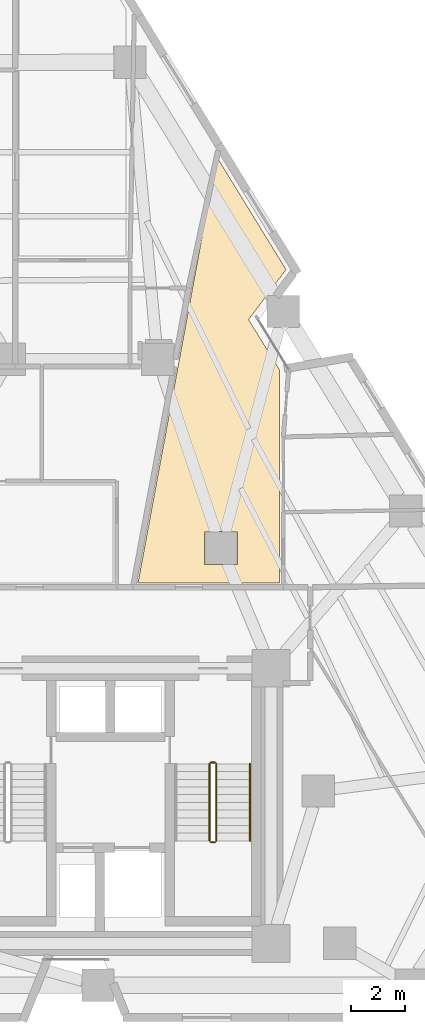
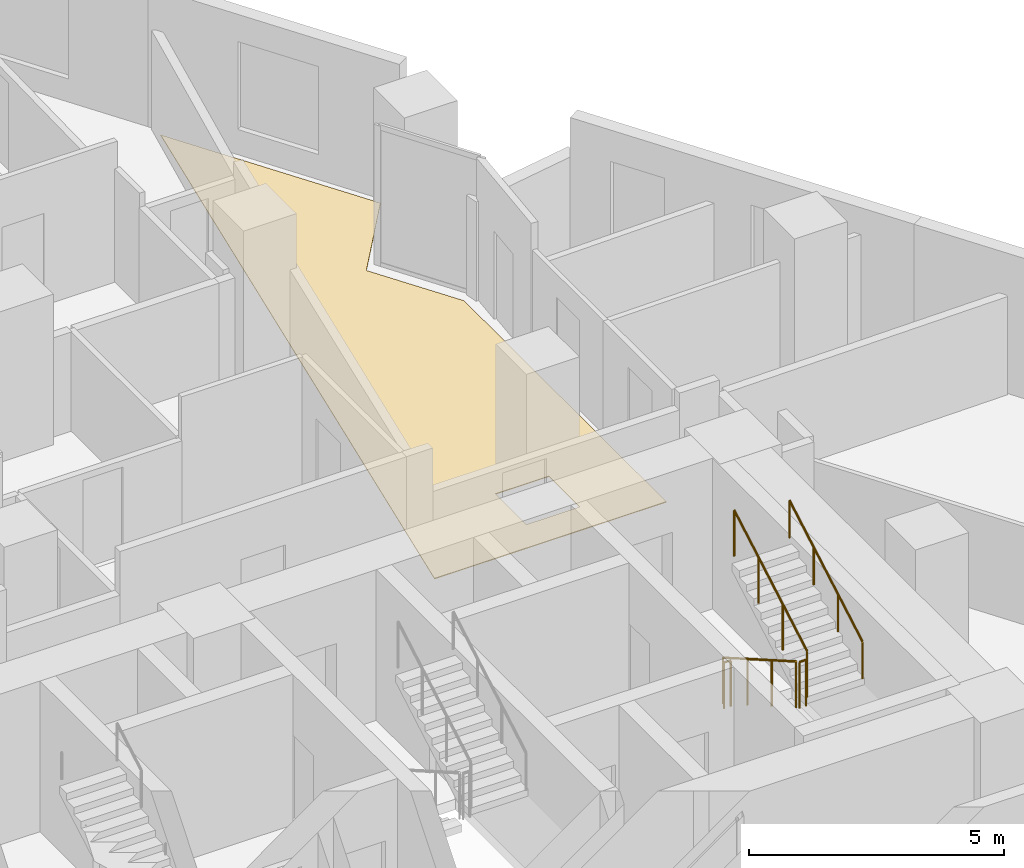
# One storey, part 12 of 13: 5 railings, 1 covering.
"""IFC4 building model written with IfcOpenShell, lengths in metres."""

from ifc_helpers import new_model, si_unit, direction, frame, origin, origin_2d, place, context, subcontext, project, spatial, polyline, circle, outline, extrude, material, layer, layer_set, type_object, element, save


model = new_model("IFC4")

# Units and contexts
model_context = context("Model", 3, precision=1e-05, world=origin(), true_north=direction((0.0, 1.0)))
body_context = subcontext(model_context, "Body", "Model", "MODEL_VIEW")
ifc_project = project(units=[si_unit("LENGTHUNIT", "METRE"), si_unit("AREAUNIT", "SQUARE_METRE"), si_unit("VOLUMEUNIT", "CUBIC_METRE"), si_unit("PLANEANGLEUNIT", "RADIAN"), si_unit("MASSUNIT", "GRAM", prefix="KILO")], contexts=[model_context])

# Site, building, storey
site_placement = place(None, origin())
site = spatial("IfcSite", under=ifc_project, at=site_placement, CompositionType="ELEMENT")
building_placement = place(site_placement, origin())
building = spatial("IfcBuilding", under=site, at=building_placement, Name="Almagre Mirador Tower", CompositionType="ELEMENT")
storey_placement = place(building_placement, frame((0.0, 0.0, 82.199951171875)))
storey = spatial("IfcBuildingStorey", under=building, at=storey_placement, Name="L20", CompositionType="ELEMENT", Elevation=82.199951171875)

# Covering
ifc_material_1 = material(Name="Engineered white oak flooring", Category="wood")
ifc_layer = layer(ifc_material_1, 0.01806640625)
ifc_layer_set = layer_set([ifc_layer], Name="Engineered white oak flooring")
covering_type = type_object("IfcCoveringType", Name="COV-FLR-OAK-18", PredefinedType="FLOORING", material=ifc_layer_set)
covering_placement = place(storey_placement, origin())
element("IfcCovering", 1, at=covering_placement, inside=storey, type_object=covering_type, Name="L20 Unit L20-J Living and Dining Room finish flooring", PredefinedType="FLOORING", context=body_context, shape_type="SweptSolid", body=[
    extrude(outline(polyline([(47.360107421875, 25.81689453125), (47.360107421875, 17.89990234375), (42.1201171875, 17.89990234375), (44.537109375, 30.962890625), (45.0458984375, 33.68994140625), (47.382080078125, 29.89208984375), (47.60888671875, 29.51904296875), (46.218994140625, 27.66796875), (47.360107421875, 25.81689453125)]), holes=[polyline([(44.594970703125, 18.594970703125), (44.594970703125, 19.804931640625), (45.804931640625, 19.804931640625), (45.804931640625, 18.594970703125), (44.594970703125, 18.594970703125)])]), origin(), (0.0, 0.0, 1.0), 0.01806640625),
])

# Railings
ifc_material_2 = material(Name="Painted galvanized steel", Category="steel")
railing_type_1 = type_object("IfcRailingType", Name="RLG-GRD-1100", PredefinedType="GUARDRAIL", material=ifc_material_2)
railing_1_placement = place(storey_placement, frame((44.77490234375, 11.199951171875, 0.16357421875)))
element("IfcRailing", 2, at=railing_1_placement, inside=storey, type_object=railing_type_1, Name="L20 ST-3 stair guard 1", PredefinedType="GUARDRAIL", context=body_context, shape_type="SweptSolid", body=[
    extrude(circle(Radius=0.02392578125, at=origin_2d()), frame((0.0, 0.0, 1.09619140625), z_axis=(0.0, -0.867194282975, 0.497969954491), x_axis=(1.0, 0.0, 0.0)), (0.0, 0.0, 1.0), 3.286376953125),
    extrude(circle(Radius=0.02099609375, at=origin_2d()), origin(), (0.0, 0.0, 1.0), 1.072021484375),
    extrude(circle(Radius=0.02099609375, at=origin_2d()), frame((0.0, -0.949951171875, 0.54541015625)), (0.0, 0.0, 1.0), 1.072021484375),
    extrude(circle(Radius=0.02099609375, at=origin_2d()), frame((0.0, -1.89990234375, 1.091064453125)), (0.0, 0.0, 1.0), 1.072021484375),
    extrude(circle(Radius=0.02099609375, at=origin_2d()), frame((0.0, -2.849853515625, 1.636474609375)), (0.0, 0.0, 1.0), 1.072021484375),
])
railing_2_placement = place(storey_placement, frame((44.824951171875, 8.300048828125, 1.800048828125)))
element("IfcRailing", 3, at=railing_2_placement, inside=storey, type_object=railing_type_1, Name="L20 ST-3 stair guard 2", PredefinedType="GUARDRAIL", context=body_context, shape_type="SweptSolid", body=[
    extrude(circle(Radius=0.02392578125, at=origin_2d()), frame((0.0, 0.0, 1.09619140625), z_axis=(1.0, 0.0, 0.0), x_axis=(0.0, 1.0, 0.0)), (0.0, 0.0, 1.0), 0.150146484375),
    extrude(circle(Radius=0.02099609375, at=origin_2d()), origin(), (0.0, 0.0, 1.0), 1.072021484375),
    extrude(circle(Radius=0.02099609375, at=origin_2d()), frame((0.150146484375, 0.0, 0.0)), (0.0, 0.0, 1.0), 1.072021484375),
])
railing_3_placement = place(storey_placement, frame((45.02490234375, 8.35009765625, 1.963623046875)))
element("IfcRailing", 4, at=railing_3_placement, inside=storey, type_object=railing_type_1, Name="L20 ST-3 stair guard 3", PredefinedType="GUARDRAIL", context=body_context, shape_type="SweptSolid", body=[
    extrude(circle(Radius=0.02392578125, at=origin_2d()), frame((0.0, 0.0, 1.09619140625), z_axis=(0.0, 0.867194282975, 0.497969954491), x_axis=(-1.0, 0.0, 0.0)), (0.0, 0.0, 1.0), 3.286376953125),
    extrude(circle(Radius=0.02099609375, at=origin_2d()), origin(), (0.0, 0.0, 1.0), 1.072021484375),
    extrude(circle(Radius=0.02099609375, at=origin_2d()), frame((0.0, 0.949951171875, 0.54541015625)), (0.0, 0.0, 1.0), 1.072021484375),
    extrude(circle(Radius=0.02099609375, at=origin_2d()), frame((0.0, 1.89990234375, 1.091064453125)), (0.0, 0.0, 1.0), 1.072021484375),
    extrude(circle(Radius=0.02099609375, at=origin_2d()), frame((0.0, 2.849853515625, 1.636474609375)), (0.0, 0.0, 1.0), 1.072021484375),
])
railing_4_placement = place(storey_placement, frame((44.824951171875, 11.25, 0.0)))
element("IfcRailing", 5, at=railing_4_placement, inside=storey, type_object=railing_type_1, Name="L20 ST-3 stair guard 4", PredefinedType="GUARDRAIL", context=body_context, shape_type="SweptSolid", body=[
    extrude(circle(Radius=0.02392578125, at=origin_2d()), frame((0.0, 0.0, 1.09619140625), z_axis=(1.0, 0.0, 0.0), x_axis=(0.0, 1.0, 0.0)), (0.0, 0.0, 1.0), 0.150146484375),
    extrude(circle(Radius=0.02099609375, at=origin_2d()), origin(), (0.0, 0.0, 1.0), 1.072021484375),
    extrude(circle(Radius=0.02099609375, at=origin_2d()), frame((0.150146484375, 0.0, 0.0)), (0.0, 0.0, 1.0), 1.072021484375),
])
ifc_material_3 = material(Name="Brushed stainless steel", Category="steel")
railing_type_2 = type_object("IfcRailingType", Name="RLG-HND-915", PredefinedType="HANDRAIL", material=ifc_material_3)
railing_5_placement = place(storey_placement, frame((46.27490234375, 8.35009765625, 1.963623046875)))
element("IfcRailing", 6, at=railing_5_placement, inside=storey, type_object=railing_type_2, Name="L20 ST-3 stair handrail 2", PredefinedType="HANDRAIL", context=body_context, shape_type="SweptSolid", body=[
    extrude(circle(Radius=0.02392578125, at=origin_2d()), frame((0.0, 0.0, 0.89111328125), z_axis=(0.0, 0.867194282975, 0.497969954491), x_axis=(-1.0, 0.0, 0.0)), (0.0, 0.0, 1.0), 3.286376953125),
    extrude(circle(Radius=0.02099609375, at=origin_2d()), origin(), (0.0, 0.0, 1.0), 0.866943359375),
    extrude(circle(Radius=0.02099609375, at=origin_2d()), frame((0.0, 0.949951171875, 0.54541015625)), (0.0, 0.0, 1.0), 0.866943359375),
    extrude(circle(Radius=0.02099609375, at=origin_2d()), frame((0.0, 1.89990234375, 1.091064453125)), (0.0, 0.0, 1.0), 0.866943359375),
    extrude(circle(Radius=0.02099609375, at=origin_2d()), frame((0.0, 2.849853515625, 1.636474609375)), (0.0, 0.0, 1.0), 0.866943359375),
])

save(model, "model.ifc")
